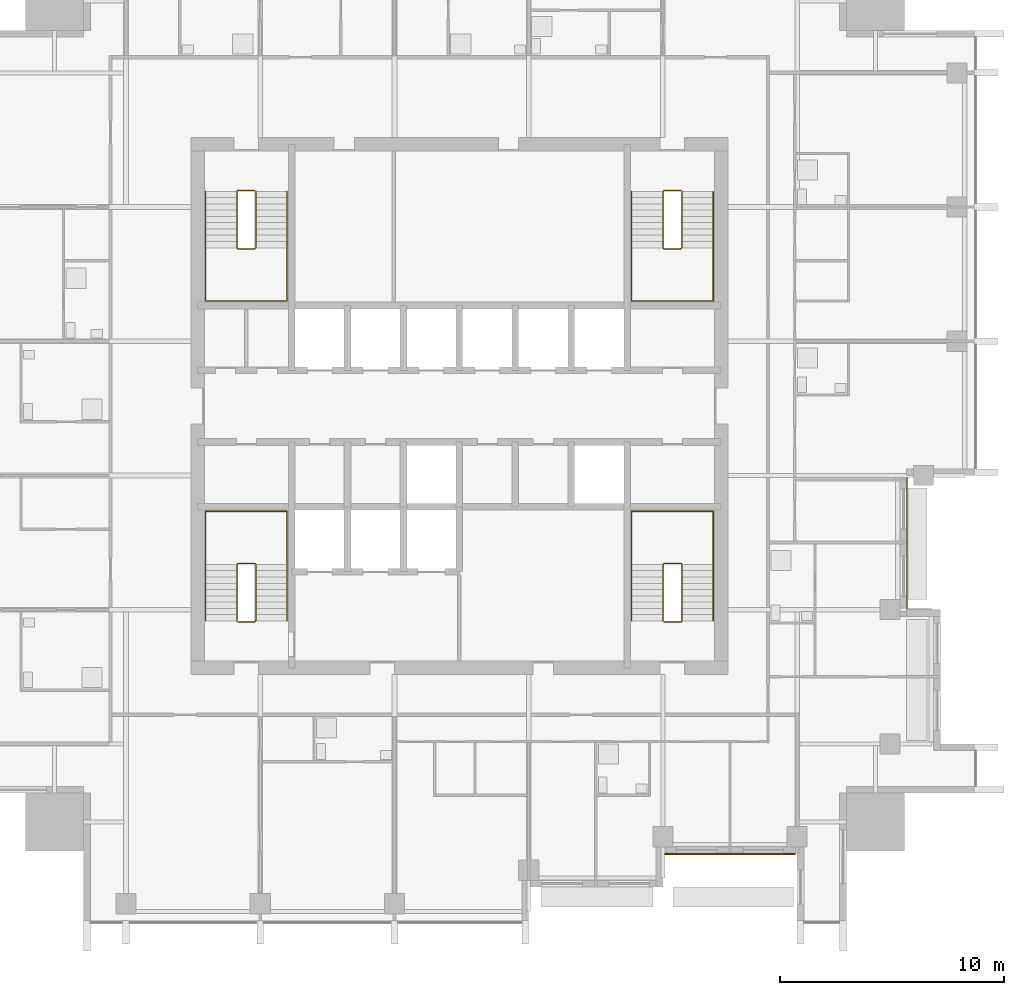
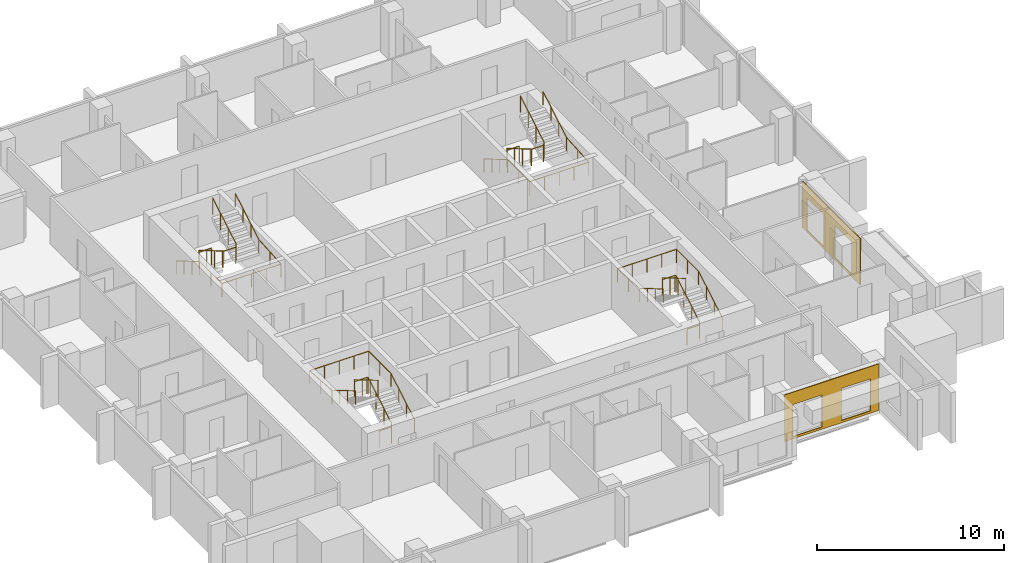
# One storey, part 9 of 10: 8 railings, 2 coverings.
"""IFC4 building model written with IfcOpenShell, lengths in metres."""

from ifc_helpers import new_model, si_unit, direction, frame, origin, origin_2d, place, context, subcontext, project, spatial, polyline, circle, outline, extrude, material, layer, layer_set, type_object, element, save


model = new_model("IFC4")

# Units and contexts
model_context = context("Model", 3, precision=1e-05, world=origin(), true_north=direction((0.0, 1.0)))
body_context = subcontext(model_context, "Body", "Model", "MODEL_VIEW")
ifc_project = project(units=[si_unit("LENGTHUNIT", "METRE"), si_unit("AREAUNIT", "SQUARE_METRE"), si_unit("VOLUMEUNIT", "CUBIC_METRE"), si_unit("PLANEANGLEUNIT", "RADIAN"), si_unit("MASSUNIT", "GRAM", prefix="KILO")], contexts=[model_context])

# Site, building, storey
site_placement = place(None, origin())
site = spatial("IfcSite", under=ifc_project, at=site_placement, CompositionType="ELEMENT")
building_placement = place(site_placement, origin())
building = spatial("IfcBuilding", under=site, at=building_placement, Name="Amberfall Residences", CompositionType="ELEMENT")
storey_placement = place(building_placement, frame((0.0, 0.0, 203.5)))
storey = spatial("IfcBuildingStorey", under=building, at=storey_placement, Name="L54", CompositionType="ELEMENT", Elevation=203.5)

# Coverings
ifc_material_1 = material(Name="Pale limestone cladding", Category="masonry")
ifc_layer = layer(ifc_material_1, 0.050048828125)
ifc_layer_set = layer_set([ifc_layer], Name="Limestone fascia 50")
covering_type = type_object("IfcCoveringType", Name="Limestone fascia 50", PredefinedType="CLADDING", material=ifc_layer_set)
covering_1_placement = place(storey_placement, frame((83.68994140625, 25.5, 3.050048828125), z_axis=(0.0, 1.0, 0.0), x_axis=(1.0, 0.0, 0.0)))
element("IfcCovering", 1, at=covering_1_placement, inside=storey, type_object=covering_type, Name="Pale limestone cladding L54 S", PredefinedType="CLADDING", context=body_context, shape_type="SweptSolid", body=[
    extrude(outline(polyline([(0.0, 0.0), (5.820068359375, 0.0), (5.820068359375, 3.050048828125), (0.0, 3.050048828125), (0.0, 0.0)]), holes=[polyline([(0.510009765625, 0.800048828125), (2.31005859375, 0.800048828125), (2.31005859375, 2.900146484375), (0.510009765625, 2.900146484375), (0.510009765625, 0.800048828125)]), polyline([(3.510009765625, 0.800048828125), (5.31005859375, 0.800048828125), (5.31005859375, 2.900146484375), (3.510009765625, 2.900146484375), (3.510009765625, 0.800048828125)])]), origin(), (0.0, 0.0, -1.0), 0.050048828125),
])
covering_2_placement = place(storey_placement, frame((94.5, 36.10009765625, 3.050048828125), z_axis=(-1.0, 0.0, 0.0), x_axis=(0.0, 1.0, 0.0)))
element("IfcCovering", 2, at=covering_2_placement, inside=storey, type_object=covering_type, Name="Pale limestone cladding L54 E", PredefinedType="CLADDING", context=body_context, shape_type="SweptSolid", body=[
    extrude(outline(polyline([(0.0, 0.0), (6.199951171875, 0.0), (6.199951171875, 3.050048828125), (0.0, 3.050048828125), (0.0, 0.0)]), holes=[polyline([(0.89990234375, 0.800048828125), (2.699951171875, 0.800048828125), (2.699951171875, 2.900146484375), (0.89990234375, 2.900146484375), (0.89990234375, 0.800048828125)]), polyline([(3.89990234375, 0.800048828125), (5.699951171875, 0.800048828125), (5.699951171875, 2.900146484375), (3.89990234375, 2.900146484375), (3.89990234375, 0.800048828125)])]), origin(), (0.0, 0.0, -1.0), 0.050048828125),
])

# Railings
ifc_material_2 = material(Name="Stainless steel 316", Category="steel")
railing_type_1 = type_object("IfcRailingType", Name="Stair guard 1100", PredefinedType="GUARDRAIL", material=ifc_material_2)
railing_1_placement = place(storey_placement, frame((64.60009765625, 35.85009765625, 0.0)))
element("IfcRailing", 3, at=railing_1_placement, inside=storey, type_object=railing_type_1, Name="L54 stair 1 guard", PredefinedType="GUARDRAIL", context=body_context, shape_type="SweptSolid", body=[
    extrude(circle(Radius=0.02392578125, at=origin_2d()), frame((0.0, 0.0, 1.076171875), z_axis=(1.0, 0.0, 0.0), x_axis=(0.0, 1.0, 0.0)), (0.0, 0.0, 1.0), 0.75),
    extrude(circle(Radius=0.02392578125, at=origin_2d()), frame((0.75, 0.0, 1.076171875), z_axis=(0.27755538755, 0.27755538755, 0.919742362667), x_axis=(-0.707106781187, 0.707106781187, 0.0)), (0.0, 0.0, 1.0), 0.179443359375),
    extrude(circle(Radius=0.02392578125, at=origin_2d()), frame((0.7998046875, 0.0498046875, 1.2412109375), z_axis=(0.0, 0.861560626758, 0.507654692109), x_axis=(-1.0, 0.0, 0.0)), (0.0, 0.0, 1.0), 2.925048828125),
    extrude(circle(Radius=0.02392578125, at=origin_2d()), frame((0.7998046875, 2.56982421875, 2.72607421875), z_axis=(-0.705375805398, 0.708833529934, 0.0), x_axis=(-0.708833529934, -0.705375805398, 0.0)), (0.0, 0.0, 1.0), 0.070556640625),
    extrude(circle(Radius=0.02392578125, at=origin_2d()), frame((0.75, 2.619873046875, 2.72607421875), z_axis=(-1.0, 0.0, 0.0), x_axis=(0.0, -1.0, 0.0)), (0.0, 0.0, 1.0), 0.75),
    extrude(circle(Radius=0.02392578125, at=origin_2d()), frame((0.0, 2.619873046875, 2.72607421875), z_axis=(-0.278705021027, -0.278705021027, 0.919046801044), x_axis=(0.707106781187, -0.707106781187, 0.0)), (0.0, 0.0, 1.0), 0.1796875),
    extrude(circle(Radius=0.02392578125, at=origin_2d()), frame((-0.050048828125, 2.56982421875, 2.89111328125), z_axis=(0.0, -0.86152411907, 0.507716645641), x_axis=(1.0, 0.0, 0.0)), (0.0, 0.0, 1.0), 2.925048828125),
    extrude(circle(Radius=0.02099609375, at=origin_2d()), origin(), (0.0, 0.0, 1.0), 1.052001953125),
    extrude(circle(Radius=0.02099609375, at=origin_2d()), frame((0.75, 0.0, 0.0)), (0.0, 0.0, 1.0), 1.052001953125),
    extrude(circle(Radius=0.02099609375, at=origin_2d()), frame((0.7998046875, 0.0498046875, 0.1650390625)), (0.0, 0.0, 1.0), 1.052001953125),
    extrude(circle(Radius=0.02099609375, at=origin_2d()), frame((0.7998046875, 0.889892578125, 0.659912109375)), (0.0, 0.0, 1.0), 1.052001953125),
    extrude(circle(Radius=0.02099609375, at=origin_2d()), frame((0.7998046875, 1.729736328125, 1.155029296875)), (0.0, 0.0, 1.0), 1.052001953125),
    extrude(circle(Radius=0.02099609375, at=origin_2d()), frame((0.7998046875, 2.56982421875, 1.64990234375)), (0.0, 0.0, 1.0), 1.052001953125),
    extrude(circle(Radius=0.02099609375, at=origin_2d()), frame((0.75, 2.619873046875, 1.64990234375)), (0.0, 0.0, 1.0), 1.052001953125),
    extrude(circle(Radius=0.02099609375, at=origin_2d()), frame((0.0, 2.619873046875, 1.64990234375)), (0.0, 0.0, 1.0), 1.052001953125),
    extrude(circle(Radius=0.02099609375, at=origin_2d()), frame((-0.050048828125, 2.56982421875, 1.81494140625)), (0.0, 0.0, 1.0), 1.052001953125),
    extrude(circle(Radius=0.02099609375, at=origin_2d()), frame((-0.050048828125, 1.729736328125, 2.31005859375)), (0.0, 0.0, 1.0), 1.052001953125),
    extrude(circle(Radius=0.02099609375, at=origin_2d()), frame((-0.050048828125, 0.889892578125, 2.804931640625)), (0.0, 0.0, 1.0), 1.052001953125),
    extrude(circle(Radius=0.02099609375, at=origin_2d()), frame((-0.050048828125, 0.0498046875, 3.300048828125)), (0.0, 0.0, 1.0), 1.052001953125),
])
railing_2_placement = place(storey_placement, frame((83.64990234375, 35.85009765625, 0.0)))
element("IfcRailing", 4, at=railing_2_placement, inside=storey, type_object=railing_type_1, Name="L54 stair 2 guard", PredefinedType="GUARDRAIL", context=body_context, shape_type="SweptSolid", body=[
    extrude(circle(Radius=0.02392578125, at=origin_2d()), frame((0.0, 0.0, 1.076171875), z_axis=(1.0, 0.0, 0.0), x_axis=(0.0, 1.0, 0.0)), (0.0, 0.0, 1.0), 0.75),
    extrude(circle(Radius=0.02392578125, at=origin_2d()), frame((0.75, 0.0, 1.076171875), z_axis=(0.278810427259, 0.277450376394, 0.919394384522), x_axis=(-0.705375805398, 0.708833529934, 0.0)), (0.0, 0.0, 1.0), 0.179443359375),
    extrude(circle(Radius=0.02392578125, at=origin_2d()), frame((0.800048828125, 0.0498046875, 1.2412109375), z_axis=(0.0, 0.861560626758, 0.507654692109), x_axis=(-1.0, 0.0, 0.0)), (0.0, 0.0, 1.0), 2.925048828125),
    extrude(circle(Radius=0.02392578125, at=origin_2d()), frame((0.800048828125, 2.56982421875, 2.72607421875), z_axis=(-0.707106781187, 0.707106781187, 0.0), x_axis=(-0.707106781187, -0.707106781187, 0.0)), (0.0, 0.0, 1.0), 0.07080078125),
    extrude(circle(Radius=0.02392578125, at=origin_2d()), frame((0.75, 2.619873046875, 2.72607421875), z_axis=(-1.0, 0.0, 0.0), x_axis=(0.0, -1.0, 0.0)), (0.0, 0.0, 1.0), 0.75),
    extrude(circle(Radius=0.02392578125, at=origin_2d()), frame((0.0, 2.619873046875, 2.72607421875), z_axis=(-0.277450376394, -0.278810427259, 0.919394384522), x_axis=(0.708833529934, -0.705375805398, 0.0)), (0.0, 0.0, 1.0), 0.179443359375),
    extrude(circle(Radius=0.02392578125, at=origin_2d()), frame((-0.0498046875, 2.56982421875, 2.89111328125), z_axis=(0.0, -0.86152411907, 0.507716645641), x_axis=(1.0, 0.0, 0.0)), (0.0, 0.0, 1.0), 2.925048828125),
    extrude(circle(Radius=0.02099609375, at=origin_2d()), origin(), (0.0, 0.0, 1.0), 1.052001953125),
    extrude(circle(Radius=0.02099609375, at=origin_2d()), frame((0.75, 0.0, 0.0)), (0.0, 0.0, 1.0), 1.052001953125),
    extrude(circle(Radius=0.02099609375, at=origin_2d()), frame((0.800048828125, 0.0498046875, 0.1650390625)), (0.0, 0.0, 1.0), 1.052001953125),
    extrude(circle(Radius=0.02099609375, at=origin_2d()), frame((0.800048828125, 0.889892578125, 0.659912109375)), (0.0, 0.0, 1.0), 1.052001953125),
    extrude(circle(Radius=0.02099609375, at=origin_2d()), frame((0.800048828125, 1.729736328125, 1.155029296875)), (0.0, 0.0, 1.0), 1.052001953125),
    extrude(circle(Radius=0.02099609375, at=origin_2d()), frame((0.800048828125, 2.56982421875, 1.64990234375)), (0.0, 0.0, 1.0), 1.052001953125),
    extrude(circle(Radius=0.02099609375, at=origin_2d()), frame((0.75, 2.619873046875, 1.64990234375)), (0.0, 0.0, 1.0), 1.052001953125),
    extrude(circle(Radius=0.02099609375, at=origin_2d()), frame((0.0, 2.619873046875, 1.64990234375)), (0.0, 0.0, 1.0), 1.052001953125),
    extrude(circle(Radius=0.02099609375, at=origin_2d()), frame((-0.0498046875, 2.56982421875, 1.81494140625)), (0.0, 0.0, 1.0), 1.052001953125),
    extrude(circle(Radius=0.02099609375, at=origin_2d()), frame((-0.0498046875, 1.729736328125, 2.31005859375)), (0.0, 0.0, 1.0), 1.052001953125),
    extrude(circle(Radius=0.02099609375, at=origin_2d()), frame((-0.0498046875, 0.889892578125, 2.804931640625)), (0.0, 0.0, 1.0), 1.052001953125),
    extrude(circle(Radius=0.02099609375, at=origin_2d()), frame((-0.0498046875, 0.0498046875, 3.300048828125)), (0.0, 0.0, 1.0), 1.052001953125),
])
railing_3_placement = place(storey_placement, frame((84.39990234375, 55.14990234375, 0.0)))
element("IfcRailing", 5, at=railing_3_placement, inside=storey, type_object=railing_type_1, Name="L54 stair 3 guard", PredefinedType="GUARDRAIL", context=body_context, shape_type="SweptSolid", body=[
    extrude(circle(Radius=0.02392578125, at=origin_2d()), frame((0.0, 0.0, 1.076171875), z_axis=(-1.0, 0.0, 0.0), x_axis=(0.0, -1.0, 0.0)), (0.0, 0.0, 1.0), 0.75),
    extrude(circle(Radius=0.02392578125, at=origin_2d()), frame((-0.75, 0.0, 1.076171875), z_axis=(-0.27755538755, -0.27755538755, 0.919742362667), x_axis=(0.707106781187, -0.707106781187, 0.0)), (0.0, 0.0, 1.0), 0.179443359375),
    extrude(circle(Radius=0.02392578125, at=origin_2d()), frame((-0.7998046875, -0.0498046875, 1.2412109375), z_axis=(0.0, -0.861560626758, 0.507654692109), x_axis=(1.0, 0.0, 0.0)), (0.0, 0.0, 1.0), 2.925048828125),
    extrude(circle(Radius=0.02392578125, at=origin_2d()), frame((-0.7998046875, -2.56982421875, 2.72607421875), z_axis=(0.705375805398, -0.708833529934, 0.0), x_axis=(0.708833529934, 0.705375805398, 0.0)), (0.0, 0.0, 1.0), 0.070556640625),
    extrude(circle(Radius=0.02392578125, at=origin_2d()), frame((-0.75, -2.619873046875, 2.72607421875), z_axis=(1.0, 0.0, 0.0), x_axis=(0.0, 1.0, 0.0)), (0.0, 0.0, 1.0), 0.75),
    extrude(circle(Radius=0.02392578125, at=origin_2d()), frame((0.0, -2.619873046875, 2.72607421875), z_axis=(0.278705021027, 0.278705021027, 0.919046801044), x_axis=(-0.707106781187, 0.707106781187, 0.0)), (0.0, 0.0, 1.0), 0.1796875),
    extrude(circle(Radius=0.02392578125, at=origin_2d()), frame((0.050048828125, -2.56982421875, 2.89111328125), z_axis=(0.0, 0.86152411907, 0.507716645641), x_axis=(-1.0, 0.0, 0.0)), (0.0, 0.0, 1.0), 2.925048828125),
    extrude(circle(Radius=0.02099609375, at=origin_2d()), origin(), (0.0, 0.0, 1.0), 1.052001953125),
    extrude(circle(Radius=0.02099609375, at=origin_2d()), frame((-0.75, 0.0, 0.0)), (0.0, 0.0, 1.0), 1.052001953125),
    extrude(circle(Radius=0.02099609375, at=origin_2d()), frame((-0.7998046875, -0.0498046875, 0.1650390625)), (0.0, 0.0, 1.0), 1.052001953125),
    extrude(circle(Radius=0.02099609375, at=origin_2d()), frame((-0.7998046875, -0.889892578125, 0.659912109375)), (0.0, 0.0, 1.0), 1.052001953125),
    extrude(circle(Radius=0.02099609375, at=origin_2d()), frame((-0.7998046875, -1.729736328125, 1.155029296875)), (0.0, 0.0, 1.0), 1.052001953125),
    extrude(circle(Radius=0.02099609375, at=origin_2d()), frame((-0.7998046875, -2.56982421875, 1.64990234375)), (0.0, 0.0, 1.0), 1.052001953125),
    extrude(circle(Radius=0.02099609375, at=origin_2d()), frame((-0.75, -2.619873046875, 1.64990234375)), (0.0, 0.0, 1.0), 1.052001953125),
    extrude(circle(Radius=0.02099609375, at=origin_2d()), frame((0.0, -2.619873046875, 1.64990234375)), (0.0, 0.0, 1.0), 1.052001953125),
    extrude(circle(Radius=0.02099609375, at=origin_2d()), frame((0.050048828125, -2.56982421875, 1.81494140625)), (0.0, 0.0, 1.0), 1.052001953125),
    extrude(circle(Radius=0.02099609375, at=origin_2d()), frame((0.050048828125, -1.729736328125, 2.31005859375)), (0.0, 0.0, 1.0), 1.052001953125),
    extrude(circle(Radius=0.02099609375, at=origin_2d()), frame((0.050048828125, -0.889892578125, 2.804931640625)), (0.0, 0.0, 1.0), 1.052001953125),
    extrude(circle(Radius=0.02099609375, at=origin_2d()), frame((0.050048828125, -0.0498046875, 3.300048828125)), (0.0, 0.0, 1.0), 1.052001953125),
])
railing_4_placement = place(storey_placement, frame((65.35009765625, 55.14990234375, 0.0)))
element("IfcRailing", 6, at=railing_4_placement, inside=storey, type_object=railing_type_1, Name="L54 stair 4 guard", PredefinedType="GUARDRAIL", context=body_context, shape_type="SweptSolid", body=[
    extrude(circle(Radius=0.02392578125, at=origin_2d()), frame((0.0, 0.0, 1.076171875), z_axis=(-1.0, 0.0, 0.0), x_axis=(0.0, -1.0, 0.0)), (0.0, 0.0, 1.0), 0.75),
    extrude(circle(Radius=0.02392578125, at=origin_2d()), frame((-0.75, 0.0, 1.076171875), z_axis=(-0.278810427259, -0.277450376394, 0.919394384522), x_axis=(0.705375805398, -0.708833529934, 0.0)), (0.0, 0.0, 1.0), 0.179443359375),
    extrude(circle(Radius=0.02392578125, at=origin_2d()), frame((-0.800048828125, -0.0498046875, 1.2412109375), z_axis=(0.0, -0.861560626758, 0.507654692109), x_axis=(1.0, 0.0, 0.0)), (0.0, 0.0, 1.0), 2.925048828125),
    extrude(circle(Radius=0.02392578125, at=origin_2d()), frame((-0.800048828125, -2.56982421875, 2.72607421875), z_axis=(0.707106781187, -0.707106781187, 0.0), x_axis=(0.707106781187, 0.707106781187, 0.0)), (0.0, 0.0, 1.0), 0.07080078125),
    extrude(circle(Radius=0.02392578125, at=origin_2d()), frame((-0.75, -2.619873046875, 2.72607421875), z_axis=(1.0, 0.0, 0.0), x_axis=(0.0, 1.0, 0.0)), (0.0, 0.0, 1.0), 0.75),
    extrude(circle(Radius=0.02392578125, at=origin_2d()), frame((0.0, -2.619873046875, 2.72607421875), z_axis=(0.277450376394, 0.278810427259, 0.919394384522), x_axis=(-0.708833529934, 0.705375805398, 0.0)), (0.0, 0.0, 1.0), 0.179443359375),
    extrude(circle(Radius=0.02392578125, at=origin_2d()), frame((0.0498046875, -2.56982421875, 2.89111328125), z_axis=(0.0, 0.86152411907, 0.507716645641), x_axis=(-1.0, 0.0, 0.0)), (0.0, 0.0, 1.0), 2.925048828125),
    extrude(circle(Radius=0.02099609375, at=origin_2d()), origin(), (0.0, 0.0, 1.0), 1.052001953125),
    extrude(circle(Radius=0.02099609375, at=origin_2d()), frame((-0.75, 0.0, 0.0)), (0.0, 0.0, 1.0), 1.052001953125),
    extrude(circle(Radius=0.02099609375, at=origin_2d()), frame((-0.800048828125, -0.0498046875, 0.1650390625)), (0.0, 0.0, 1.0), 1.052001953125),
    extrude(circle(Radius=0.02099609375, at=origin_2d()), frame((-0.800048828125, -0.889892578125, 0.659912109375)), (0.0, 0.0, 1.0), 1.052001953125),
    extrude(circle(Radius=0.02099609375, at=origin_2d()), frame((-0.800048828125, -1.729736328125, 1.155029296875)), (0.0, 0.0, 1.0), 1.052001953125),
    extrude(circle(Radius=0.02099609375, at=origin_2d()), frame((-0.800048828125, -2.56982421875, 1.64990234375)), (0.0, 0.0, 1.0), 1.052001953125),
    extrude(circle(Radius=0.02099609375, at=origin_2d()), frame((-0.75, -2.619873046875, 1.64990234375)), (0.0, 0.0, 1.0), 1.052001953125),
    extrude(circle(Radius=0.02099609375, at=origin_2d()), frame((0.0, -2.619873046875, 1.64990234375)), (0.0, 0.0, 1.0), 1.052001953125),
    extrude(circle(Radius=0.02099609375, at=origin_2d()), frame((0.0498046875, -2.56982421875, 1.81494140625)), (0.0, 0.0, 1.0), 1.052001953125),
    extrude(circle(Radius=0.02099609375, at=origin_2d()), frame((0.0498046875, -1.729736328125, 2.31005859375)), (0.0, 0.0, 1.0), 1.052001953125),
    extrude(circle(Radius=0.02099609375, at=origin_2d()), frame((0.0498046875, -0.889892578125, 2.804931640625)), (0.0, 0.0, 1.0), 1.052001953125),
    extrude(circle(Radius=0.02099609375, at=origin_2d()), frame((0.0498046875, -0.0498046875, 3.300048828125)), (0.0, 0.0, 1.0), 1.052001953125),
])
railing_type_2 = type_object("IfcRailingType", Name="Stair handrail 900", PredefinedType="HANDRAIL", material=ifc_material_2)
railing_5_placement = place(storey_placement, frame((66.800048828125, 35.89990234375, 0.1650390625)))
element("IfcRailing", 7, at=railing_5_placement, inside=storey, type_object=railing_type_2, Name="L54 stair 1 handrail", PredefinedType="HANDRAIL", context=body_context, shape_type="SweptSolid", body=[
    extrude(circle(Radius=0.02392578125, at=origin_2d()), frame((0.0, 0.0, 0.8759765625), z_axis=(0.0, 0.861560626758, 0.507654692109), x_axis=(-1.0, 0.0, 0.0)), (0.0, 0.0, 1.0), 2.925048828125),
    extrude(circle(Radius=0.02392578125, at=origin_2d()), frame((0.0, 2.52001953125, 2.36083984375), z_axis=(0.0, 1.0, 0.0), x_axis=(-1.0, 0.0, 0.0)), (0.0, 0.0, 1.0), 2.380126953125),
    extrude(circle(Radius=0.02392578125, at=origin_2d()), frame((0.0, 4.900146484375, 2.36083984375), z_axis=(-1.0, 0.0, 0.0), x_axis=(0.0, -1.0, 0.0)), (0.0, 0.0, 1.0), 3.650146484375),
    extrude(circle(Radius=0.02392578125, at=origin_2d()), frame((-3.650146484375, 4.900146484375, 2.36083984375), z_axis=(0.0, -0.997604585917, 0.069174346095), x_axis=(1.0, 0.0, 0.0)), (0.0, 0.0, 1.0), 2.3857421875),
    extrude(circle(Radius=0.02392578125, at=origin_2d()), frame((-3.650146484375, 2.52001953125, 2.52587890625), z_axis=(0.0, -0.86152411907, 0.507716645641), x_axis=(1.0, 0.0, 0.0)), (0.0, 0.0, 1.0), 2.925048828125),
    extrude(circle(Radius=0.02099609375, at=origin_2d()), origin(), (0.0, 0.0, 1.0), 0.851806640625),
    extrude(circle(Radius=0.02099609375, at=origin_2d()), frame((0.0, 0.840087890625, 0.494873046875)), (0.0, 0.0, 1.0), 0.851806640625),
    extrude(circle(Radius=0.02099609375, at=origin_2d()), frame((0.0, 1.679931640625, 0.989990234375)), (0.0, 0.0, 1.0), 0.851806640625),
    extrude(circle(Radius=0.02099609375, at=origin_2d()), frame((0.0, 2.52001953125, 1.48486328125)), (0.0, 0.0, 1.0), 0.851806640625),
    extrude(circle(Radius=0.02099609375, at=origin_2d()), frame((0.0, 3.7099609375, 1.48486328125)), (0.0, 0.0, 1.0), 0.851806640625),
    extrude(circle(Radius=0.02099609375, at=origin_2d()), frame((0.0, 4.900146484375, 1.48486328125)), (0.0, 0.0, 1.0), 0.851806640625),
    extrude(circle(Radius=0.02099609375, at=origin_2d()), frame((-0.91259765625, 4.900146484375, 1.48486328125)), (0.0, 0.0, 1.0), 0.851806640625),
    extrude(circle(Radius=0.02099609375, at=origin_2d()), frame((-1.8251953125, 4.900146484375, 1.48486328125)), (0.0, 0.0, 1.0), 0.851806640625),
    extrude(circle(Radius=0.02099609375, at=origin_2d()), frame((-2.737548828125, 4.900146484375, 1.48486328125)), (0.0, 0.0, 1.0), 0.851806640625),
    extrude(circle(Radius=0.02099609375, at=origin_2d()), frame((-3.650146484375, 4.900146484375, 1.48486328125)), (0.0, 0.0, 1.0), 0.851806640625),
    extrude(circle(Radius=0.02099609375, at=origin_2d()), frame((-3.650146484375, 3.7099609375, 1.5673828125)), (0.0, 0.0, 1.0), 0.851806640625),
    extrude(circle(Radius=0.02099609375, at=origin_2d()), frame((-3.650146484375, 2.52001953125, 1.64990234375)), (0.0, 0.0, 1.0), 0.851806640625),
    extrude(circle(Radius=0.02099609375, at=origin_2d()), frame((-3.650146484375, 1.679931640625, 2.14501953125)), (0.0, 0.0, 1.0), 0.851806640625),
    extrude(circle(Radius=0.02099609375, at=origin_2d()), frame((-3.650146484375, 0.840087890625, 2.639892578125)), (0.0, 0.0, 1.0), 0.851806640625),
    extrude(circle(Radius=0.02099609375, at=origin_2d()), frame((-3.650146484375, 0.0, 3.135009765625)), (0.0, 0.0, 1.0), 0.851806640625),
])
railing_6_placement = place(storey_placement, frame((85.85009765625, 35.89990234375, 0.1650390625)))
element("IfcRailing", 8, at=railing_6_placement, inside=storey, type_object=railing_type_2, Name="L54 stair 2 handrail", PredefinedType="HANDRAIL", context=body_context, shape_type="SweptSolid", body=[
    extrude(circle(Radius=0.02392578125, at=origin_2d()), frame((0.0, 0.0, 0.8759765625), z_axis=(0.0, 0.861560626758, 0.507654692109), x_axis=(-1.0, 0.0, 0.0)), (0.0, 0.0, 1.0), 2.925048828125),
    extrude(circle(Radius=0.02392578125, at=origin_2d()), frame((0.0, 2.52001953125, 2.36083984375), z_axis=(0.0, 1.0, 0.0), x_axis=(-1.0, 0.0, 0.0)), (0.0, 0.0, 1.0), 2.380126953125),
    extrude(circle(Radius=0.02392578125, at=origin_2d()), frame((0.0, 4.900146484375, 2.36083984375), z_axis=(-1.0, 0.0, 0.0), x_axis=(0.0, -1.0, 0.0)), (0.0, 0.0, 1.0), 3.650146484375),
    extrude(circle(Radius=0.02392578125, at=origin_2d()), frame((-3.650146484375, 4.900146484375, 2.36083984375), z_axis=(0.0, -0.997604585917, 0.069174346095), x_axis=(1.0, 0.0, 0.0)), (0.0, 0.0, 1.0), 2.3857421875),
    extrude(circle(Radius=0.02392578125, at=origin_2d()), frame((-3.650146484375, 2.52001953125, 2.52587890625), z_axis=(0.0, -0.86152411907, 0.507716645641), x_axis=(1.0, 0.0, 0.0)), (0.0, 0.0, 1.0), 2.925048828125),
    extrude(circle(Radius=0.02099609375, at=origin_2d()), origin(), (0.0, 0.0, 1.0), 0.851806640625),
    extrude(circle(Radius=0.02099609375, at=origin_2d()), frame((0.0, 0.840087890625, 0.494873046875)), (0.0, 0.0, 1.0), 0.851806640625),
    extrude(circle(Radius=0.02099609375, at=origin_2d()), frame((0.0, 1.679931640625, 0.989990234375)), (0.0, 0.0, 1.0), 0.851806640625),
    extrude(circle(Radius=0.02099609375, at=origin_2d()), frame((0.0, 2.52001953125, 1.48486328125)), (0.0, 0.0, 1.0), 0.851806640625),
    extrude(circle(Radius=0.02099609375, at=origin_2d()), frame((0.0, 3.7099609375, 1.48486328125)), (0.0, 0.0, 1.0), 0.851806640625),
    extrude(circle(Radius=0.02099609375, at=origin_2d()), frame((0.0, 4.900146484375, 1.48486328125)), (0.0, 0.0, 1.0), 0.851806640625),
    extrude(circle(Radius=0.02099609375, at=origin_2d()), frame((-0.91259765625, 4.900146484375, 1.48486328125)), (0.0, 0.0, 1.0), 0.851806640625),
    extrude(circle(Radius=0.02099609375, at=origin_2d()), frame((-1.8251953125, 4.900146484375, 1.48486328125)), (0.0, 0.0, 1.0), 0.851806640625),
    extrude(circle(Radius=0.02099609375, at=origin_2d()), frame((-2.737548828125, 4.900146484375, 1.48486328125)), (0.0, 0.0, 1.0), 0.851806640625),
    extrude(circle(Radius=0.02099609375, at=origin_2d()), frame((-3.650146484375, 4.900146484375, 1.48486328125)), (0.0, 0.0, 1.0), 0.851806640625),
    extrude(circle(Radius=0.02099609375, at=origin_2d()), frame((-3.650146484375, 3.7099609375, 1.5673828125)), (0.0, 0.0, 1.0), 0.851806640625),
    extrude(circle(Radius=0.02099609375, at=origin_2d()), frame((-3.650146484375, 2.52001953125, 1.64990234375)), (0.0, 0.0, 1.0), 0.851806640625),
    extrude(circle(Radius=0.02099609375, at=origin_2d()), frame((-3.650146484375, 1.679931640625, 2.14501953125)), (0.0, 0.0, 1.0), 0.851806640625),
    extrude(circle(Radius=0.02099609375, at=origin_2d()), frame((-3.650146484375, 0.840087890625, 2.639892578125)), (0.0, 0.0, 1.0), 0.851806640625),
    extrude(circle(Radius=0.02099609375, at=origin_2d()), frame((-3.650146484375, 0.0, 3.135009765625)), (0.0, 0.0, 1.0), 0.851806640625),
])
railing_7_placement = place(storey_placement, frame((82.199951171875, 55.10009765625, 0.1650390625)))
element("IfcRailing", 9, at=railing_7_placement, inside=storey, type_object=railing_type_2, Name="L54 stair 3 handrail", PredefinedType="HANDRAIL", context=body_context, shape_type="SweptSolid", body=[
    extrude(circle(Radius=0.02392578125, at=origin_2d()), frame((0.0, 0.0, 0.8759765625), z_axis=(0.0, -0.861560626758, 0.507654692109), x_axis=(1.0, 0.0, 0.0)), (0.0, 0.0, 1.0), 2.925048828125),
    extrude(circle(Radius=0.02392578125, at=origin_2d()), frame((0.0, -2.52001953125, 2.36083984375), z_axis=(0.0, -1.0, 0.0), x_axis=(1.0, 0.0, 0.0)), (0.0, 0.0, 1.0), 2.380126953125),
    extrude(circle(Radius=0.02392578125, at=origin_2d()), frame((0.0, -4.900146484375, 2.36083984375), z_axis=(1.0, 0.0, 0.0), x_axis=(0.0, 1.0, 0.0)), (0.0, 0.0, 1.0), 3.650146484375),
    extrude(circle(Radius=0.02392578125, at=origin_2d()), frame((3.650146484375, -4.900146484375, 2.36083984375), z_axis=(0.0, 0.997604585917, 0.069174346095), x_axis=(-1.0, 0.0, 0.0)), (0.0, 0.0, 1.0), 2.3857421875),
    extrude(circle(Radius=0.02392578125, at=origin_2d()), frame((3.650146484375, -2.52001953125, 2.52587890625), z_axis=(0.0, 0.86152411907, 0.507716645641), x_axis=(-1.0, 0.0, 0.0)), (0.0, 0.0, 1.0), 2.925048828125),
    extrude(circle(Radius=0.02099609375, at=origin_2d()), origin(), (0.0, 0.0, 1.0), 0.851806640625),
    extrude(circle(Radius=0.02099609375, at=origin_2d()), frame((0.0, -0.840087890625, 0.494873046875)), (0.0, 0.0, 1.0), 0.851806640625),
    extrude(circle(Radius=0.02099609375, at=origin_2d()), frame((0.0, -1.679931640625, 0.989990234375)), (0.0, 0.0, 1.0), 0.851806640625),
    extrude(circle(Radius=0.02099609375, at=origin_2d()), frame((0.0, -2.52001953125, 1.48486328125)), (0.0, 0.0, 1.0), 0.851806640625),
    extrude(circle(Radius=0.02099609375, at=origin_2d()), frame((0.0, -3.7099609375, 1.48486328125)), (0.0, 0.0, 1.0), 0.851806640625),
    extrude(circle(Radius=0.02099609375, at=origin_2d()), frame((0.0, -4.900146484375, 1.48486328125)), (0.0, 0.0, 1.0), 0.851806640625),
    extrude(circle(Radius=0.02099609375, at=origin_2d()), frame((0.91259765625, -4.900146484375, 1.48486328125)), (0.0, 0.0, 1.0), 0.851806640625),
    extrude(circle(Radius=0.02099609375, at=origin_2d()), frame((1.8251953125, -4.900146484375, 1.48486328125)), (0.0, 0.0, 1.0), 0.851806640625),
    extrude(circle(Radius=0.02099609375, at=origin_2d()), frame((2.737548828125, -4.900146484375, 1.48486328125)), (0.0, 0.0, 1.0), 0.851806640625),
    extrude(circle(Radius=0.02099609375, at=origin_2d()), frame((3.650146484375, -4.900146484375, 1.48486328125)), (0.0, 0.0, 1.0), 0.851806640625),
    extrude(circle(Radius=0.02099609375, at=origin_2d()), frame((3.650146484375, -3.7099609375, 1.5673828125)), (0.0, 0.0, 1.0), 0.851806640625),
    extrude(circle(Radius=0.02099609375, at=origin_2d()), frame((3.650146484375, -2.52001953125, 1.64990234375)), (0.0, 0.0, 1.0), 0.851806640625),
    extrude(circle(Radius=0.02099609375, at=origin_2d()), frame((3.650146484375, -1.679931640625, 2.14501953125)), (0.0, 0.0, 1.0), 0.851806640625),
    extrude(circle(Radius=0.02099609375, at=origin_2d()), frame((3.650146484375, -0.840087890625, 2.639892578125)), (0.0, 0.0, 1.0), 0.851806640625),
    extrude(circle(Radius=0.02099609375, at=origin_2d()), frame((3.650146484375, 0.0, 3.135009765625)), (0.0, 0.0, 1.0), 0.851806640625),
])
railing_8_placement = place(storey_placement, frame((63.14990234375, 55.10009765625, 0.1650390625)))
element("IfcRailing", 10, at=railing_8_placement, inside=storey, type_object=railing_type_2, Name="L54 stair 4 handrail", PredefinedType="HANDRAIL", context=body_context, shape_type="SweptSolid", body=[
    extrude(circle(Radius=0.02392578125, at=origin_2d()), frame((0.0, 0.0, 0.8759765625), z_axis=(0.0, -0.861560626758, 0.507654692109), x_axis=(1.0, 0.0, 0.0)), (0.0, 0.0, 1.0), 2.925048828125),
    extrude(circle(Radius=0.02392578125, at=origin_2d()), frame((0.0, -2.52001953125, 2.36083984375), z_axis=(0.0, -1.0, 0.0), x_axis=(1.0, 0.0, 0.0)), (0.0, 0.0, 1.0), 2.380126953125),
    extrude(circle(Radius=0.02392578125, at=origin_2d()), frame((0.0, -4.900146484375, 2.36083984375), z_axis=(1.0, 0.0, 0.0), x_axis=(0.0, 1.0, 0.0)), (0.0, 0.0, 1.0), 3.650146484375),
    extrude(circle(Radius=0.02392578125, at=origin_2d()), frame((3.650146484375, -4.900146484375, 2.36083984375), z_axis=(0.0, 0.997604585917, 0.069174346095), x_axis=(-1.0, 0.0, 0.0)), (0.0, 0.0, 1.0), 2.3857421875),
    extrude(circle(Radius=0.02392578125, at=origin_2d()), frame((3.650146484375, -2.52001953125, 2.52587890625), z_axis=(0.0, 0.86152411907, 0.507716645641), x_axis=(-1.0, 0.0, 0.0)), (0.0, 0.0, 1.0), 2.925048828125),
    extrude(circle(Radius=0.02099609375, at=origin_2d()), origin(), (0.0, 0.0, 1.0), 0.851806640625),
    extrude(circle(Radius=0.02099609375, at=origin_2d()), frame((0.0, -0.840087890625, 0.494873046875)), (0.0, 0.0, 1.0), 0.851806640625),
    extrude(circle(Radius=0.02099609375, at=origin_2d()), frame((0.0, -1.679931640625, 0.989990234375)), (0.0, 0.0, 1.0), 0.851806640625),
    extrude(circle(Radius=0.02099609375, at=origin_2d()), frame((0.0, -2.52001953125, 1.48486328125)), (0.0, 0.0, 1.0), 0.851806640625),
    extrude(circle(Radius=0.02099609375, at=origin_2d()), frame((0.0, -3.7099609375, 1.48486328125)), (0.0, 0.0, 1.0), 0.851806640625),
    extrude(circle(Radius=0.02099609375, at=origin_2d()), frame((0.0, -4.900146484375, 1.48486328125)), (0.0, 0.0, 1.0), 0.851806640625),
    extrude(circle(Radius=0.02099609375, at=origin_2d()), frame((0.91259765625, -4.900146484375, 1.48486328125)), (0.0, 0.0, 1.0), 0.851806640625),
    extrude(circle(Radius=0.02099609375, at=origin_2d()), frame((1.8251953125, -4.900146484375, 1.48486328125)), (0.0, 0.0, 1.0), 0.851806640625),
    extrude(circle(Radius=0.02099609375, at=origin_2d()), frame((2.737548828125, -4.900146484375, 1.48486328125)), (0.0, 0.0, 1.0), 0.851806640625),
    extrude(circle(Radius=0.02099609375, at=origin_2d()), frame((3.650146484375, -4.900146484375, 1.48486328125)), (0.0, 0.0, 1.0), 0.851806640625),
    extrude(circle(Radius=0.02099609375, at=origin_2d()), frame((3.650146484375, -3.7099609375, 1.5673828125)), (0.0, 0.0, 1.0), 0.851806640625),
    extrude(circle(Radius=0.02099609375, at=origin_2d()), frame((3.650146484375, -2.52001953125, 1.64990234375)), (0.0, 0.0, 1.0), 0.851806640625),
    extrude(circle(Radius=0.02099609375, at=origin_2d()), frame((3.650146484375, -1.679931640625, 2.14501953125)), (0.0, 0.0, 1.0), 0.851806640625),
    extrude(circle(Radius=0.02099609375, at=origin_2d()), frame((3.650146484375, -0.840087890625, 2.639892578125)), (0.0, 0.0, 1.0), 0.851806640625),
    extrude(circle(Radius=0.02099609375, at=origin_2d()), frame((3.650146484375, 0.0, 3.135009765625)), (0.0, 0.0, 1.0), 0.851806640625),
])

save(model, "model.ifc")
